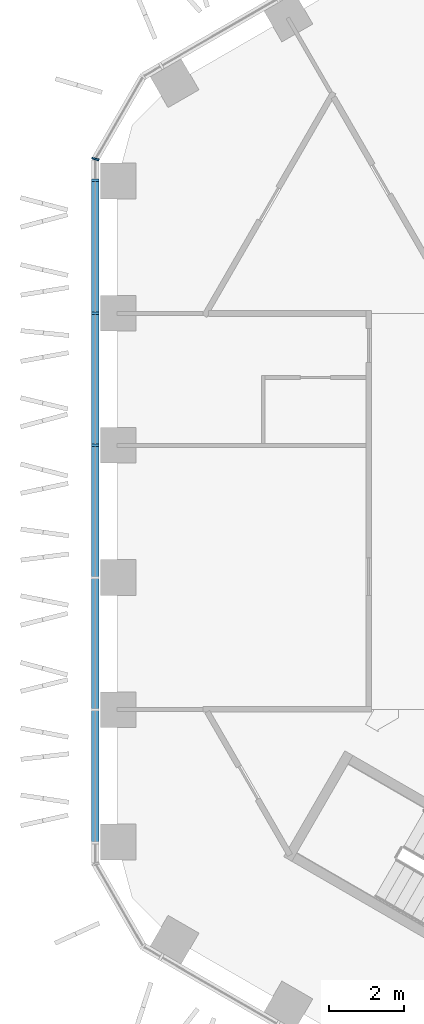
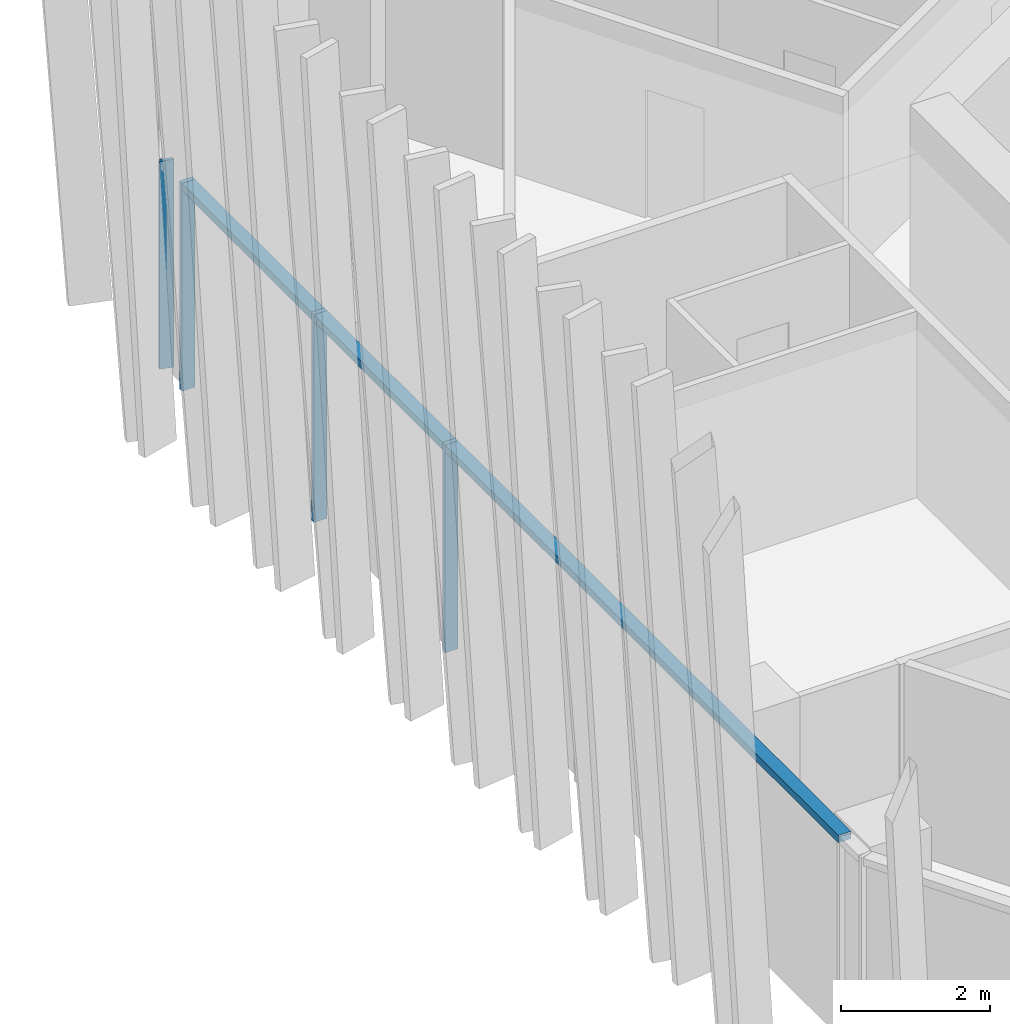
# One storey, part 4 of 21: 5 members, 2 elements without a shape of their own.
"""IFC4 building model written with IfcOpenShell, lengths in metres."""

from ifc_helpers import new_model, si_unit, direction, frame, origin, origin_2d, place, context, subcontext, project, spatial, rectangle, extrude, material, layer, layer_set, material_profile, profile_set, type_object, element, aggregate, save


model = new_model("IFC4")

# Units and contexts
model_context = context("Model", 3, precision=1e-05, world=origin(), true_north=direction((0.0, 1.0)))
body_context = subcontext(model_context, "Body", "Model", "MODEL_VIEW")
ifc_project = project(units=[si_unit("LENGTHUNIT", "METRE"), si_unit("AREAUNIT", "SQUARE_METRE"), si_unit("VOLUMEUNIT", "CUBIC_METRE"), si_unit("PLANEANGLEUNIT", "RADIAN"), si_unit("MASSUNIT", "GRAM", prefix="KILO")], contexts=[model_context])

# Site, building, storey
site_placement = place(None, origin())
site = spatial("IfcSite", under=ifc_project, at=site_placement, CompositionType="ELEMENT")
building_placement = place(site_placement, origin())
building = spatial("IfcBuilding", under=site, at=building_placement, Name="Ayvan Gate Tower", CompositionType="ELEMENT")
storey_placement = place(building_placement, frame((0.0, 0.0, 152.699951171875)))
storey = spatial("IfcBuildingStorey", under=building, at=storey_placement, Name="L40", CompositionType="ELEMENT", Elevation=152.699951171875)

# Curtain wall, members
ifc_material = material(Name="Bronze anodised aluminium", Category="aluminium")
ifc_layer_1 = layer(ifc_material, 0.199951171875)
ifc_layer_set_1 = layer_set([ifc_layer_1], Name="Bronze anodised aluminium")
curtain_wall_type_1 = type_object("IfcCurtainWallType", Name="Stick curtain wall CW-2", PredefinedType="NOTDEFINED", material=ifc_layer_set_1)
curtain_wall_1_placement = place(storey_placement, origin())
curtain_wall_1 = element("IfcCurtainWall", 1, at=curtain_wall_1_placement, inside=storey, type_object=curtain_wall_type_1, Name="Stick curtain wall CW-2 L40", PredefinedType="NOTDEFINED")
ifc_material_profile_1 = material_profile(ifc_material, rectangle(XDim=0.199951171875, YDim=0.070068359375, at=origin_2d()), Name="Stick curtain wall CW-2 mullion 200 x 70")
ifc_profile_set_1 = profile_set([ifc_material_profile_1], Name="Bronze anodised aluminium")
member_type_1 = type_object("IfcMemberType", Name="Stick curtain wall CW-2 mullion 200 x 70", PredefinedType="MULLION", material=ifc_profile_set_1)
member_1_placement = place(storey_placement, frame((-18.761474609375, 8.80859375, 0.0), z_axis=(0.0, 0.0, 1.0), x_axis=(-1.0, 0.0, 0.0)))
member_1 = element("IfcMember", 2, at=member_1_placement, type_object=member_type_1, Name="CW-2 mullion 1", PredefinedType="MULLION", context=body_context, shape_type="SweptSolid", body=[
    extrude(rectangle(XDim=0.199951171875, YDim=0.070068359375, at=origin_2d()), origin(), (0.0, 0.0, 1.0), 3.400146484375),
])
member_2_placement = place(storey_placement, frame((-18.761474609375, 5.270751953125, 0.0), z_axis=(0.0, 0.0, 1.0), x_axis=(-1.0, 0.0, 0.0)))
member_2 = element("IfcMember", 3, at=member_2_placement, type_object=member_type_1, Name="CW-2 mullion 2", PredefinedType="MULLION", context=body_context, shape_type="SweptSolid", body=[
    extrude(rectangle(XDim=0.199951171875, YDim=0.070068359375, at=origin_2d()), origin(), (0.0, 0.0, 1.0), 3.400146484375),
])
member_3_placement = place(storey_placement, frame((-18.761474609375, 1.756591796875, 0.0), z_axis=(0.0, 0.0, 1.0), x_axis=(-1.0, 0.0, 0.0)))
member_3 = element("IfcMember", 4, at=member_3_placement, type_object=member_type_1, Name="CW-2 mullion 3", PredefinedType="MULLION", context=body_context, shape_type="SweptSolid", body=[
    extrude(rectangle(XDim=0.199951171875, YDim=0.070068359375, at=origin_2d()), origin(), (0.0, 0.0, 1.0), 3.400146484375),
])
ifc_material_profile_2 = material_profile(ifc_material, rectangle(XDim=0.199951171875, YDim=0.1201171875, at=origin_2d()), Name="Stick curtain wall CW-2 transom 200 x 120")
ifc_profile_set_2 = profile_set([ifc_material_profile_2], Name="Bronze anodised aluminium")
member_type_2 = type_object("IfcMemberType", Name="Stick curtain wall CW-2 transom 200 x 120", PredefinedType="USERDEFINED", material=ifc_profile_set_2)
member_4_placement = place(storey_placement, frame((-18.761474609375, 8.80859375, 3.340087890625), z_axis=(0.0, -1.0, 0.0), x_axis=(1.0, 0.0, 0.0)))
member_4 = element("IfcMember", 5, at=member_4_placement, type_object=member_type_2, Name="CW-2 transom 1", ObjectType="TRANSOM", PredefinedType="USERDEFINED", context=body_context, shape_type="SweptSolid", body=[
    extrude(rectangle(XDim=0.199951171875, YDim=0.1201171875, at=origin_2d()), origin(), (0.0, 0.0, 1.0), 17.6171875),
])
aggregate(curtain_wall_1, [member_1, member_2, member_3, member_4])

# Curtain wall, member
ifc_layer_2 = layer(ifc_material, 0.199951171875)
ifc_layer_set_2 = layer_set([ifc_layer_2], Name="Bronze anodised aluminium")
curtain_wall_type_2 = type_object("IfcCurtainWallType", Name="Stick curtain wall CW-6", PredefinedType="NOTDEFINED", material=ifc_layer_set_2)
curtain_wall_2_placement = place(storey_placement, origin())
curtain_wall_2 = element("IfcCurtainWall", 6, at=curtain_wall_2_placement, inside=storey, type_object=curtain_wall_type_2, Name="Stick curtain wall CW-6 L40", PredefinedType="NOTDEFINED")
ifc_material_profile_3 = material_profile(ifc_material, rectangle(XDim=0.199951171875, YDim=0.050048828125, at=origin_2d()), Name="Stick curtain wall CW-6 mullion 200 x 50")
ifc_profile_set_3 = profile_set([ifc_material_profile_3], Name="Bronze anodised aluminium")
member_type_3 = type_object("IfcMemberType", Name="Stick curtain wall CW-6 mullion 200 x 50", PredefinedType="MULLION", material=ifc_profile_set_3)
member_5_placement = place(storey_placement, frame((-18.761474609375, 9.36865234375, 0.0), z_axis=(0.0, 0.0, 1.0), x_axis=(-0.965925826289, 0.258819045103, 0.0)))
member_5 = element("IfcMember", 7, at=member_5_placement, type_object=member_type_3, Name="CW-6 mullion 3", PredefinedType="MULLION", context=body_context, shape_type="SweptSolid", body=[
    extrude(rectangle(XDim=0.199951171875, YDim=0.050048828125, at=origin_2d()), origin(), (0.0, 0.0, 1.0), 3.400146484375),
])
aggregate(curtain_wall_2, [member_5])

save(model, "model.ifc")
